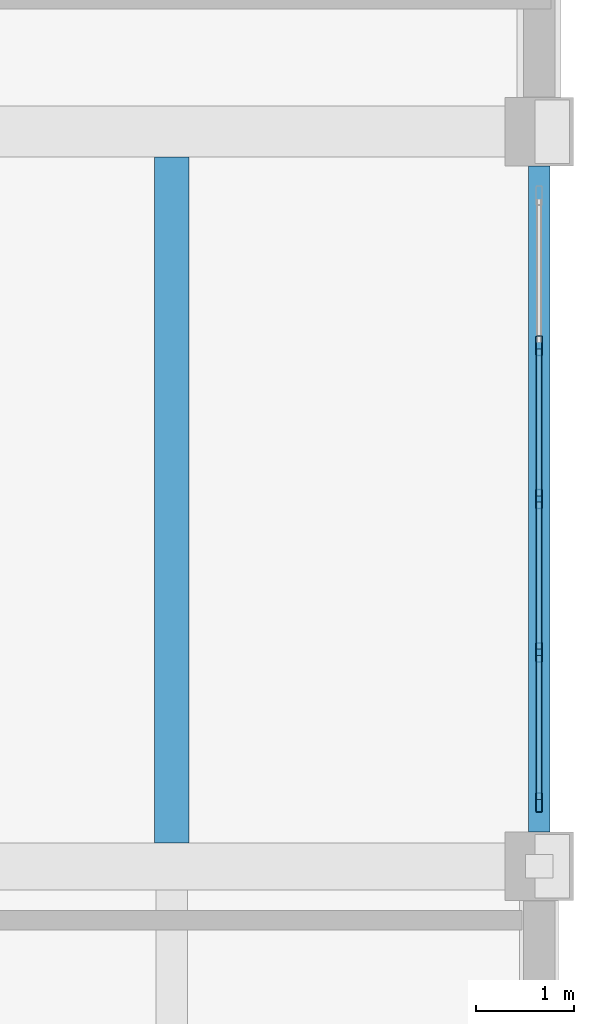
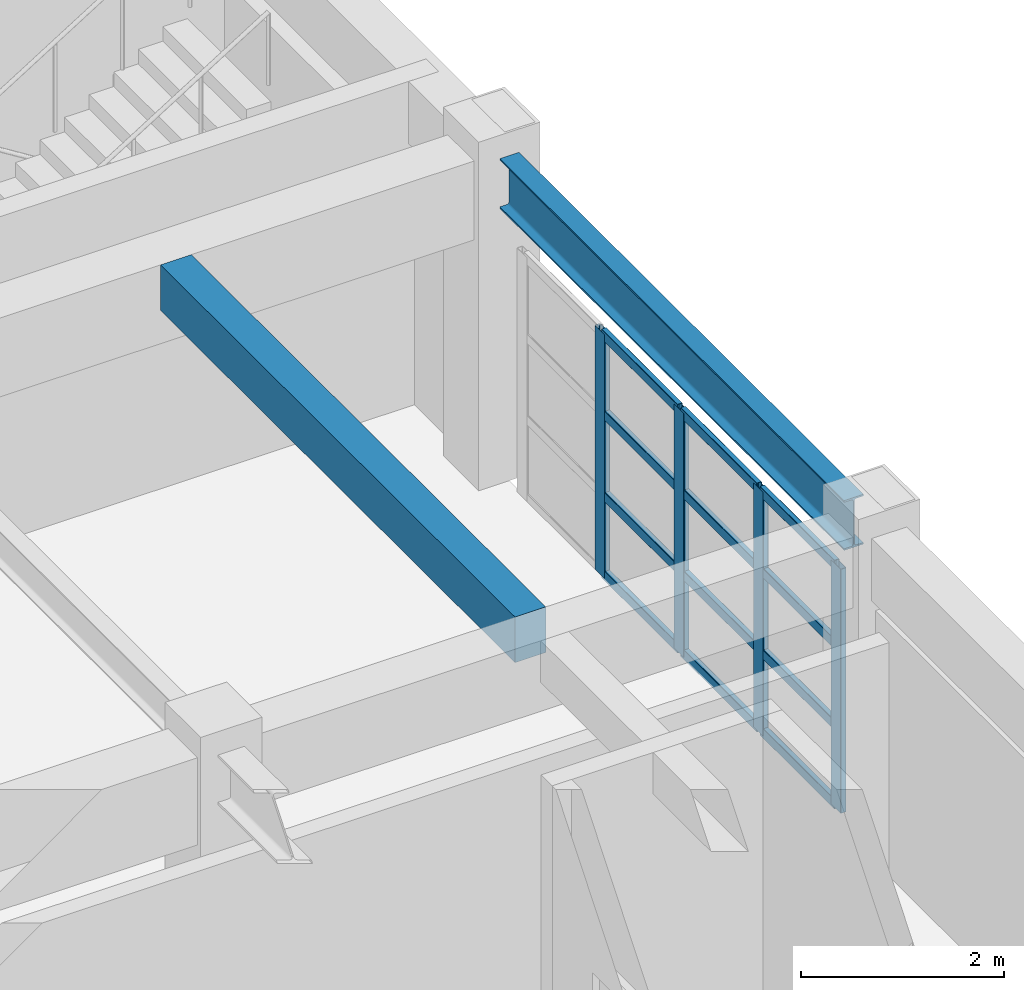
# One storey, part 76 of 132: 16 members, 2 beams, 1 element without a shape of its own.
"""IFC4 building model written with IfcOpenShell, lengths in metres."""

from ifc_helpers import new_model, si_unit, direction, frame, origin, origin_2d, place, context, subcontext, project, spatial, rectangle, hollow_rectangle, i_section, extrude, material, material_profile, profile_set, type_object, element, aggregate, save


model = new_model("IFC4")

# Units and contexts
model_context = context("Model", 3, precision=1e-05, world=origin(), true_north=direction((0.0, 1.0)))
body_context = subcontext(model_context, "Body", "Model", "MODEL_VIEW")
ifc_project = project(units=[si_unit("LENGTHUNIT", "METRE"), si_unit("AREAUNIT", "SQUARE_METRE"), si_unit("VOLUMEUNIT", "CUBIC_METRE"), si_unit("PLANEANGLEUNIT", "RADIAN"), si_unit("MASSUNIT", "GRAM", prefix="KILO")], contexts=[model_context])

# Site, building, storey
site_placement = place(None, origin())
site = spatial("IfcSite", under=ifc_project, at=site_placement, CompositionType="ELEMENT")
building_placement = place(site_placement, origin())
building = spatial("IfcBuilding", under=site, at=building_placement, Name="Qasida Concert Hall", CompositionType="ELEMENT")
storey_placement = place(building_placement, frame((0.0, 0.0, 4.800048828125)))
storey = spatial("IfcBuildingStorey", under=building, at=storey_placement, Name="L01", CompositionType="ELEMENT", Elevation=4.800048828125)

# Beams
ifc_material_1 = material(Name="Concrete C40/50", Category="concrete")
ifc_material_profile_1 = material_profile(ifc_material_1, rectangle(XDim=0.35009765625, YDim=0.550048828125, at=origin_2d()), Name="RC 350x550")
ifc_profile_set_1 = profile_set([ifc_material_profile_1], Name="Concrete C40/50")
beam_type_1 = type_object("IfcBeamType", Name="BM-J8", PredefinedType="JOIST", material=ifc_profile_set_1)
beam_1_placement = place(storey_placement, frame((161.25, 90.239990234375, 3.64501953125), z_axis=(0.0, 1.0, 0.0), x_axis=(-1.0, 0.0, 0.0)))
element("IfcBeam", 1, at=beam_1_placement, inside=storey, type_object=beam_type_1, Name="L01 secondary joist 1063", PredefinedType="JOIST", context=body_context, shape_type="SweptSolid", body=[
    extrude(rectangle(XDim=0.35009765625, YDim=0.550048828125, at=origin_2d()), origin(), (0.0, 0.0, 1.0), 7.0),
])
ifc_material_2 = material(Name="Steel S355J2", Category="steel")
ifc_material_profile_2 = material_profile(ifc_material_2, i_section(OverallWidth=0.219970703125, OverallDepth=0.60009765625, WebThickness=0.011962890625, FlangeThickness=0.01904296875, FilletRadius=0.02392578125, at=origin_2d()), Name="IPE 600")
ifc_profile_set_2 = profile_set([ifc_material_profile_2], Name="Steel S355J2")
beam_type_2 = type_object("IfcBeamType", Name="BM-SP3", PredefinedType="SPANDREL", material=ifc_profile_set_2)
beam_2_placement = place(storey_placement, frame((165.0, 90.35009765625, 3.619873046875), z_axis=(0.0, 1.0, 0.0), x_axis=(-1.0, 0.0, 0.0)))
element("IfcBeam", 2, at=beam_2_placement, inside=storey, type_object=beam_type_2, Name="L01 girder 1040", PredefinedType="SPANDREL", context=body_context, shape_type="SweptSolid", body=[
    extrude(i_section(OverallWidth=0.219970703125, OverallDepth=0.60009765625, WebThickness=0.011962890625, FlangeThickness=0.01904296875, FilletRadius=0.02392578125, at=origin_2d()), origin(), (0.0, 0.0, 1.0), 6.7998046875),
])

# Curtain wall, members
ifc_material_3 = material(Name="Architectural bronze-anodized aluminium and low-E glass", Category="aluminium")
curtain_wall_type = type_object("IfcCurtainWallType", Name="CW-11", PredefinedType="NOTDEFINED", material=ifc_material_3)
curtain_wall_placement = place(storey_placement, origin())
curtain_wall = element("IfcCurtainWall", 3, at=curtain_wall_placement, inside=storey, type_object=curtain_wall_type, Name="L01 curtain wall CW-11 0166", PredefinedType="NOTDEFINED")
ifc_material_4 = material(Name="Architectural bronze-anodized aluminium EN AW-6063", Category="aluminium")
ifc_material_profile_3 = material_profile(ifc_material_4, hollow_rectangle(XDim=0.06494140625, YDim=0.199951171875, WallThickness=0.0048828125, InnerFilletRadius=0.0048828125, OuterFilletRadius=0.010009765625, at=origin_2d()), Name="CWM 200x65x5")
ifc_profile_set_3 = profile_set([ifc_material_profile_3], Name="Architectural bronze-anodized aluminium EN AW-6063")
member_type_1 = type_object("IfcMemberType", Name="MB-CWM-2", PredefinedType="MULLION", material=ifc_profile_set_3)
member_1_placement = place(storey_placement, frame((165.0, 90.652587890625, 0.0), z_axis=(0.0, 0.0, 1.0), x_axis=(-1.0, 0.0, 0.0)))
member_1 = element("IfcMember", 4, at=member_1_placement, type_object=member_type_1, Name="CW-11 mullion 1", PredefinedType="MULLION", context=body_context, shape_type="SweptSolid", body=[
    extrude(hollow_rectangle(XDim=0.06494140625, YDim=0.199951171875, WallThickness=0.0048828125, InnerFilletRadius=0.0048828125, OuterFilletRadius=0.010009765625, at=origin_2d()), origin(), (0.0, 0.0, 1.0), 2.93994140625),
])
member_2_placement = place(storey_placement, frame((165.0, 92.18505859375, 0.0), z_axis=(0.0, 0.0, 1.0), x_axis=(-1.0, 0.0, 0.0)))
member_2 = element("IfcMember", 5, at=member_2_placement, type_object=member_type_1, Name="CW-11 mullion 2", PredefinedType="MULLION", context=body_context, shape_type="SweptSolid", body=[
    extrude(hollow_rectangle(XDim=0.06494140625, YDim=0.199951171875, WallThickness=0.0048828125, InnerFilletRadius=0.0048828125, OuterFilletRadius=0.010009765625, at=origin_2d()), origin(), (0.0, 0.0, 1.0), 2.93994140625),
])
member_3_placement = place(storey_placement, frame((165.0, 93.75, 0.0), z_axis=(0.0, 0.0, 1.0), x_axis=(-1.0, 0.0, 0.0)))
member_3 = element("IfcMember", 6, at=member_3_placement, type_object=member_type_1, Name="CW-11 mullion 3", PredefinedType="MULLION", context=body_context, shape_type="SweptSolid", body=[
    extrude(hollow_rectangle(XDim=0.06494140625, YDim=0.199951171875, WallThickness=0.0048828125, InnerFilletRadius=0.0048828125, OuterFilletRadius=0.010009765625, at=origin_2d()), origin(), (0.0, 0.0, 1.0), 2.93994140625),
])
member_4_placement = place(storey_placement, frame((165.0, 95.31494140625, 0.0), z_axis=(0.0, 0.0, 1.0), x_axis=(-1.0, 0.0, 0.0)))
member_4 = element("IfcMember", 7, at=member_4_placement, type_object=member_type_1, Name="CW-11 mullion 4", PredefinedType="MULLION", context=body_context, shape_type="SweptSolid", body=[
    extrude(hollow_rectangle(XDim=0.06494140625, YDim=0.199951171875, WallThickness=0.0048828125, InnerFilletRadius=0.0048828125, OuterFilletRadius=0.010009765625, at=origin_2d()), origin(), (0.0, 0.0, 1.0), 2.93994140625),
])
ifc_material_profile_4 = material_profile(ifc_material_4, hollow_rectangle(XDim=0.06005859375, YDim=0.1201171875, WallThickness=0.00390625, InnerFilletRadius=0.00390625, OuterFilletRadius=0.008056640625, at=origin_2d()), Name="CWT 120x60x4")
ifc_profile_set_4 = profile_set([ifc_material_profile_4], Name="Architectural bronze-anodized aluminium EN AW-6063")
member_type_2 = type_object("IfcMemberType", Name="MB-CWT-2", PredefinedType="USERDEFINED", material=ifc_profile_set_4)
member_5_placement = place(storey_placement, frame((165.0, 90.68505859375, 0.030029296875), z_axis=(0.0, 1.0, 0.0), x_axis=(-1.0, 0.0, 0.0)))
member_5 = element("IfcMember", 8, at=member_5_placement, type_object=member_type_2, Name="CW-11 transom 1.1", ObjectType="TRANSOM", PredefinedType="USERDEFINED", context=body_context, shape_type="SweptSolid", body=[
    extrude(hollow_rectangle(XDim=0.06005859375, YDim=0.1201171875, WallThickness=0.00390625, InnerFilletRadius=0.00390625, OuterFilletRadius=0.008056640625, at=origin_2d()), origin(), (0.0, 0.0, 1.0), 1.467529296875),
])
member_6_placement = place(storey_placement, frame((165.0, 90.68505859375, 0.97998046875), z_axis=(0.0, 1.0, 0.0), x_axis=(-1.0, 0.0, 0.0)))
member_6 = element("IfcMember", 9, at=member_6_placement, type_object=member_type_2, Name="CW-11 transom 1.2", ObjectType="TRANSOM", PredefinedType="USERDEFINED", context=body_context, shape_type="SweptSolid", body=[
    extrude(hollow_rectangle(XDim=0.06005859375, YDim=0.1201171875, WallThickness=0.00390625, InnerFilletRadius=0.00390625, OuterFilletRadius=0.008056640625, at=origin_2d()), origin(), (0.0, 0.0, 1.0), 1.467529296875),
])
member_7_placement = place(storey_placement, frame((165.0, 90.68505859375, 1.9599609375), z_axis=(0.0, 1.0, 0.0), x_axis=(-1.0, 0.0, 0.0)))
member_7 = element("IfcMember", 10, at=member_7_placement, type_object=member_type_2, Name="CW-11 transom 1.3", ObjectType="TRANSOM", PredefinedType="USERDEFINED", context=body_context, shape_type="SweptSolid", body=[
    extrude(hollow_rectangle(XDim=0.06005859375, YDim=0.1201171875, WallThickness=0.00390625, InnerFilletRadius=0.00390625, OuterFilletRadius=0.008056640625, at=origin_2d()), origin(), (0.0, 0.0, 1.0), 1.467529296875),
])
member_8_placement = place(storey_placement, frame((165.0, 90.68505859375, 2.909912109375), z_axis=(0.0, 1.0, 0.0), x_axis=(-1.0, 0.0, 0.0)))
member_8 = element("IfcMember", 11, at=member_8_placement, type_object=member_type_2, Name="CW-11 transom 1.4", ObjectType="TRANSOM", PredefinedType="USERDEFINED", context=body_context, shape_type="SweptSolid", body=[
    extrude(hollow_rectangle(XDim=0.06005859375, YDim=0.1201171875, WallThickness=0.00390625, InnerFilletRadius=0.00390625, OuterFilletRadius=0.008056640625, at=origin_2d()), origin(), (0.0, 0.0, 1.0), 1.467529296875),
])
member_9_placement = place(storey_placement, frame((165.0, 92.217529296875, 0.030029296875), z_axis=(0.0, 1.0, 0.0), x_axis=(-1.0, 0.0, 0.0)))
member_9 = element("IfcMember", 12, at=member_9_placement, type_object=member_type_2, Name="CW-11 transom 2.1", ObjectType="TRANSOM", PredefinedType="USERDEFINED", context=body_context, shape_type="SweptSolid", body=[
    extrude(hollow_rectangle(XDim=0.06005859375, YDim=0.1201171875, WallThickness=0.00390625, InnerFilletRadius=0.00390625, OuterFilletRadius=0.008056640625, at=origin_2d()), origin(), (0.0, 0.0, 1.0), 1.5),
])
member_10_placement = place(storey_placement, frame((165.0, 92.217529296875, 0.97998046875), z_axis=(0.0, 1.0, 0.0), x_axis=(-1.0, 0.0, 0.0)))
member_10 = element("IfcMember", 13, at=member_10_placement, type_object=member_type_2, Name="CW-11 transom 2.2", ObjectType="TRANSOM", PredefinedType="USERDEFINED", context=body_context, shape_type="SweptSolid", body=[
    extrude(hollow_rectangle(XDim=0.06005859375, YDim=0.1201171875, WallThickness=0.00390625, InnerFilletRadius=0.00390625, OuterFilletRadius=0.008056640625, at=origin_2d()), origin(), (0.0, 0.0, 1.0), 1.5),
])
member_11_placement = place(storey_placement, frame((165.0, 92.217529296875, 1.9599609375), z_axis=(0.0, 1.0, 0.0), x_axis=(-1.0, 0.0, 0.0)))
member_11 = element("IfcMember", 14, at=member_11_placement, type_object=member_type_2, Name="CW-11 transom 2.3", ObjectType="TRANSOM", PredefinedType="USERDEFINED", context=body_context, shape_type="SweptSolid", body=[
    extrude(hollow_rectangle(XDim=0.06005859375, YDim=0.1201171875, WallThickness=0.00390625, InnerFilletRadius=0.00390625, OuterFilletRadius=0.008056640625, at=origin_2d()), origin(), (0.0, 0.0, 1.0), 1.5),
])
member_12_placement = place(storey_placement, frame((165.0, 92.217529296875, 2.909912109375), z_axis=(0.0, 1.0, 0.0), x_axis=(-1.0, 0.0, 0.0)))
member_12 = element("IfcMember", 15, at=member_12_placement, type_object=member_type_2, Name="CW-11 transom 2.4", ObjectType="TRANSOM", PredefinedType="USERDEFINED", context=body_context, shape_type="SweptSolid", body=[
    extrude(hollow_rectangle(XDim=0.06005859375, YDim=0.1201171875, WallThickness=0.00390625, InnerFilletRadius=0.00390625, OuterFilletRadius=0.008056640625, at=origin_2d()), origin(), (0.0, 0.0, 1.0), 1.5),
])
member_13_placement = place(storey_placement, frame((165.0, 93.782470703125, 0.030029296875), z_axis=(0.0, 1.0, 0.0), x_axis=(-1.0, 0.0, 0.0)))
member_13 = element("IfcMember", 16, at=member_13_placement, type_object=member_type_2, Name="CW-11 transom 3.1", ObjectType="TRANSOM", PredefinedType="USERDEFINED", context=body_context, shape_type="SweptSolid", body=[
    extrude(hollow_rectangle(XDim=0.06005859375, YDim=0.1201171875, WallThickness=0.00390625, InnerFilletRadius=0.00390625, OuterFilletRadius=0.008056640625, at=origin_2d()), origin(), (0.0, 0.0, 1.0), 1.5),
])
member_14_placement = place(storey_placement, frame((165.0, 93.782470703125, 0.97998046875), z_axis=(0.0, 1.0, 0.0), x_axis=(-1.0, 0.0, 0.0)))
member_14 = element("IfcMember", 17, at=member_14_placement, type_object=member_type_2, Name="CW-11 transom 3.2", ObjectType="TRANSOM", PredefinedType="USERDEFINED", context=body_context, shape_type="SweptSolid", body=[
    extrude(hollow_rectangle(XDim=0.06005859375, YDim=0.1201171875, WallThickness=0.00390625, InnerFilletRadius=0.00390625, OuterFilletRadius=0.008056640625, at=origin_2d()), origin(), (0.0, 0.0, 1.0), 1.5),
])
member_15_placement = place(storey_placement, frame((165.0, 93.782470703125, 1.9599609375), z_axis=(0.0, 1.0, 0.0), x_axis=(-1.0, 0.0, 0.0)))
member_15 = element("IfcMember", 18, at=member_15_placement, type_object=member_type_2, Name="CW-11 transom 3.3", ObjectType="TRANSOM", PredefinedType="USERDEFINED", context=body_context, shape_type="SweptSolid", body=[
    extrude(hollow_rectangle(XDim=0.06005859375, YDim=0.1201171875, WallThickness=0.00390625, InnerFilletRadius=0.00390625, OuterFilletRadius=0.008056640625, at=origin_2d()), origin(), (0.0, 0.0, 1.0), 1.5),
])
member_16_placement = place(storey_placement, frame((165.0, 93.782470703125, 2.909912109375), z_axis=(0.0, 1.0, 0.0), x_axis=(-1.0, 0.0, 0.0)))
member_16 = element("IfcMember", 19, at=member_16_placement, type_object=member_type_2, Name="CW-11 transom 3.4", ObjectType="TRANSOM", PredefinedType="USERDEFINED", context=body_context, shape_type="SweptSolid", body=[
    extrude(hollow_rectangle(XDim=0.06005859375, YDim=0.1201171875, WallThickness=0.00390625, InnerFilletRadius=0.00390625, OuterFilletRadius=0.008056640625, at=origin_2d()), origin(), (0.0, 0.0, 1.0), 1.5),
])
aggregate(curtain_wall, [member_1, member_2, member_3, member_4, member_5, member_6, member_7, member_8, member_9, member_10, member_11, member_12, member_13, member_14, member_15, member_16])

save(model, "model.ifc")
